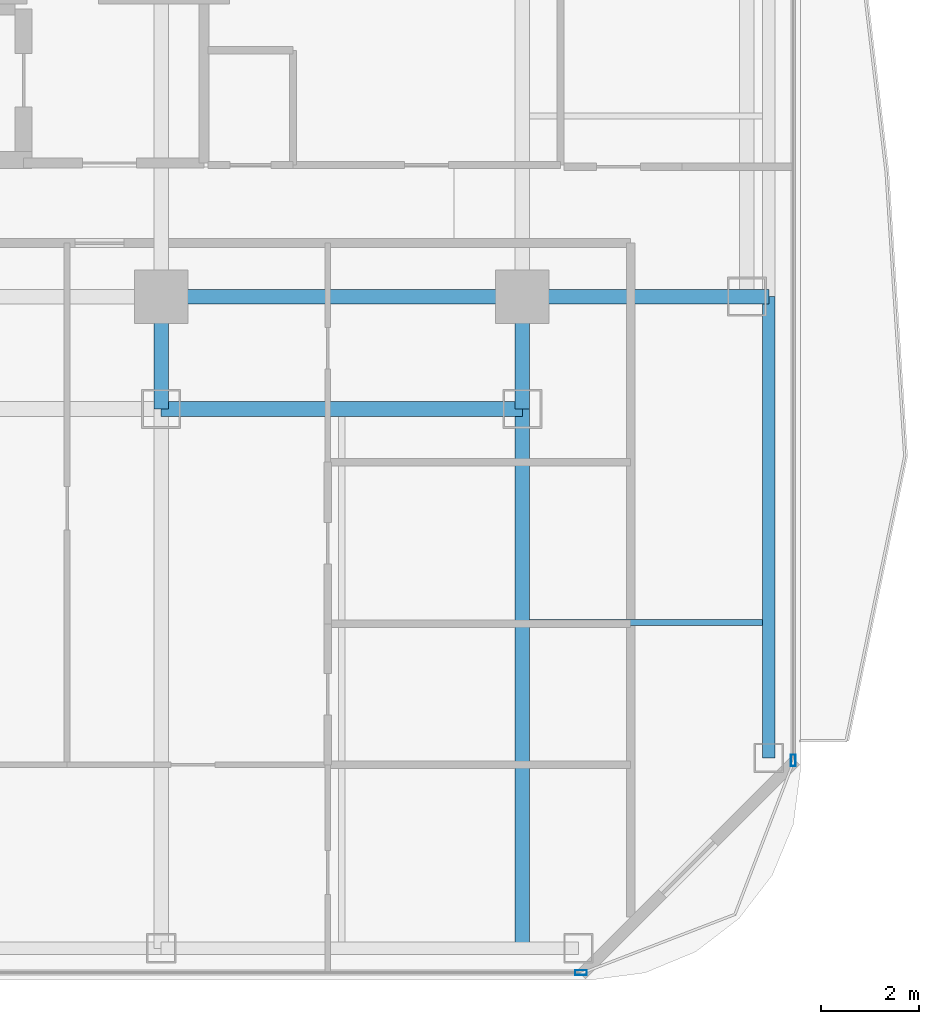
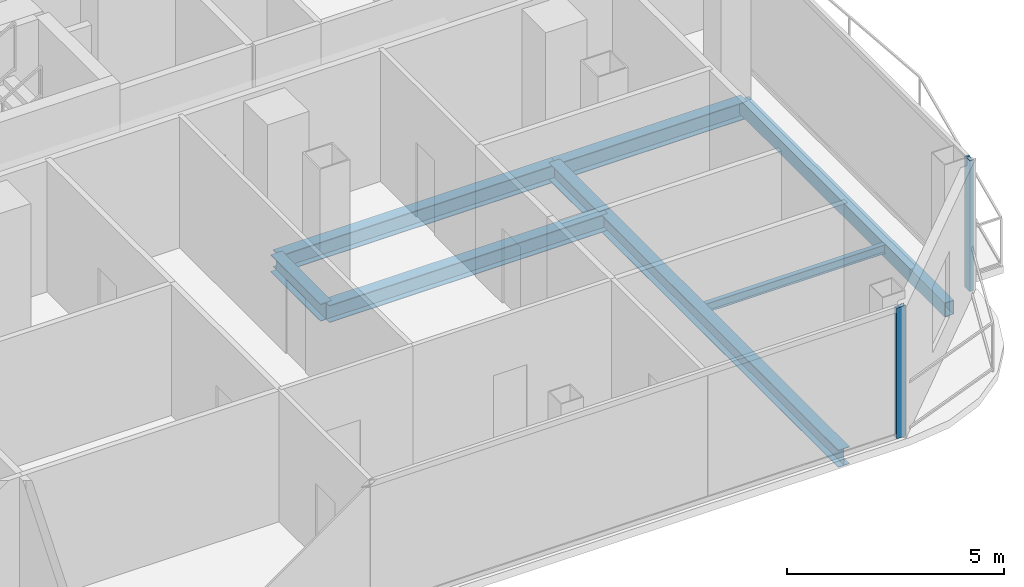
# One storey, part 7 of 23: 8 beams, 2 members, 2 elements without a shape of their own.
"""IFC4 building model written with IfcOpenShell, lengths in metres."""

from ifc_helpers import new_model, si_unit, direction, frame, origin, origin_2d, place, context, subcontext, project, spatial, hollow_rectangle, i_section, extrude, material, layer, layer_set, material_profile, profile_set, type_object, element, aggregate, save


model = new_model("IFC4")

# Units and contexts
model_context = context("Model", 3, precision=1e-05, world=origin(), true_north=direction((0.0, 1.0)))
body_context = subcontext(model_context, "Body", "Model", "MODEL_VIEW")
ifc_project = project(units=[si_unit("LENGTHUNIT", "METRE"), si_unit("AREAUNIT", "SQUARE_METRE"), si_unit("VOLUMEUNIT", "CUBIC_METRE"), si_unit("PLANEANGLEUNIT", "RADIAN"), si_unit("MASSUNIT", "GRAM", prefix="KILO")], contexts=[model_context])

# Site, building, storey
site_placement = place(None, origin())
site = spatial("IfcSite", under=ifc_project, at=site_placement, CompositionType="ELEMENT")
building_placement = place(site_placement, origin())
building = spatial("IfcBuilding", under=site, at=building_placement, Name="Khorvyn Point Tower", CompositionType="ELEMENT")
storey_placement = place(building_placement, frame((0.0, 0.0, 195.300048828125)))
storey = spatial("IfcBuildingStorey", under=building, at=storey_placement, Name="L48", CompositionType="ELEMENT", Elevation=195.300048828125)

# Curtain wall, member
ifc_material_1 = material(Name="Anodised aluminium 6063-T6 and laminated Low-E glass", Category="aluminium")
ifc_layer = layer(ifc_material_1, 0.18994140625)
ifc_layer_set = layer_set([ifc_layer], Name="Stick-Built Acoustic Curtain Wall CW-SYS-03")
curtain_wall_type = type_object("IfcCurtainWallType", Name="Stick-Built Acoustic Curtain Wall CW-SYS-03", PredefinedType="NOTDEFINED", material=ifc_layer_set)
curtain_wall_1_placement = place(storey_placement, origin())
curtain_wall_1 = element("IfcCurtainWall", 1, at=curtain_wall_1_placement, inside=storey, type_object=curtain_wall_type, Name="Curtain Wall", PredefinedType="NOTDEFINED")
ifc_material_2 = material(Name="Anodised aluminium 6063-T6", Category="aluminium")
ifc_material_profile_1 = material_profile(ifc_material_2, hollow_rectangle(XDim=0.10009765625, YDim=0.239990234375, WallThickness=0.0048828125, at=origin_2d()))
ifc_profile_set_1 = profile_set([ifc_material_profile_1], Name="Anodised aluminium 6063-T6 ALU-MUL-100x240")
member_type = type_object("IfcMemberType", Name="Anodised Aluminium 6063-T6 Mullion ALU-MUL-100x240", PredefinedType="MULLION", material=ifc_profile_set_1)
member_1_placement = place(storey_placement, frame((16.0, -28.64990234375, 0.0), z_axis=(0.0, 0.0, 1.0), x_axis=(0.0, -1.0, 0.0)))
member_1 = element("IfcMember", 2, at=member_1_placement, type_object=member_type, Name="Transom", PredefinedType="MULLION", context=body_context, shape_type="SweptSolid", body=[
    extrude(hollow_rectangle(XDim=0.10009765625, YDim=0.239990234375, WallThickness=0.0048828125, at=origin_2d()), origin(), (0.0, 0.0, 1.0), 3.679931640625),
])
aggregate(curtain_wall_1, [member_1])

curtain_wall_2_placement = place(storey_placement, origin())
curtain_wall_2 = element("IfcCurtainWall", 3, at=curtain_wall_2_placement, inside=storey, type_object=curtain_wall_type, Name="Curtain Wall", PredefinedType="NOTDEFINED")
member_2_placement = place(storey_placement, frame((20.35009765625, -24.300048828125, 0.0), z_axis=(0.0, 0.0, 1.0), x_axis=(1.0, 0.0, 0.0)))
member_2 = element("IfcMember", 4, at=member_2_placement, type_object=member_type, Name="Transom", PredefinedType="MULLION", context=body_context, shape_type="SweptSolid", body=[
    extrude(hollow_rectangle(XDim=0.10009765625, YDim=0.239990234375, WallThickness=0.0048828125, at=origin_2d()), origin(), (0.0, 0.0, 1.0), 3.679931640625),
])
aggregate(curtain_wall_2, [member_2])

# Beams
ifc_material_3 = material(Name="Steel S355", Category="steel")
ifc_material_profile_2 = material_profile(ifc_material_3, i_section(OverallWidth=0.125, OverallDepth=0.25, WebThickness=0.006103515625, FlangeThickness=0.009033203125, at=origin_2d()))
ifc_profile_set_2 = profile_set([ifc_material_profile_2], Name="Steel S355 H250x125x6x9")
beam_type_1 = type_object("IfcBeamType", Name="Steel S355 Joist H250x125x6x9", PredefinedType="JOIST", material=ifc_profile_set_2)
beam_1_placement = place(storey_placement, frame((14.949951171875, -21.47509765625, -0.344970703125), z_axis=(1.0, 0.0, 0.0), x_axis=(0.0, 1.0, 0.0)))
element("IfcBeam", 5, at=beam_1_placement, inside=storey, type_object=beam_type_1, Name="Beam", PredefinedType="JOIST", context=body_context, shape_type="SweptSolid", body=[
    extrude(i_section(OverallWidth=0.125, OverallDepth=0.25, WebThickness=0.006103515625, FlangeThickness=0.009033203125, at=origin_2d()), origin(), (0.0, 0.0, 1.0), 4.775146484375),
])
ifc_material_profile_3 = material_profile(ifc_material_3, i_section(OverallWidth=0.300048828125, OverallDepth=0.488037109375, WebThickness=0.010986328125, FlangeThickness=0.01806640625, at=origin_2d()))
ifc_profile_set_3 = profile_set([ifc_material_profile_3], Name="Steel S355 H488x300x11x18")
beam_type_2 = type_object("IfcBeamType", Name="Steel S355 Spandrel H488x300x11x18", PredefinedType="SPANDREL", material=ifc_profile_set_3)
beam_2_placement = place(storey_placement, frame((7.39990234375, -14.800048828125, -0.464111328125), z_axis=(1.0, 0.0, 0.0), x_axis=(0.0, 1.0, 0.0)))
element("IfcBeam", 6, at=beam_2_placement, inside=storey, type_object=beam_type_2, Name="Beam", PredefinedType="SPANDREL", context=body_context, shape_type="SweptSolid", body=[
    extrude(i_section(OverallWidth=0.300048828125, OverallDepth=0.488037109375, WebThickness=0.010986328125, FlangeThickness=0.01806640625, at=origin_2d()), origin(), (0.0, 0.0, 1.0), 7.400146484375),
])
beam_3_placement = place(storey_placement, frame((14.800048828125, -14.800048828125, -0.464111328125), z_axis=(1.0, 0.0, 0.0), x_axis=(0.0, 1.0, 0.0)))
element("IfcBeam", 7, at=beam_3_placement, inside=storey, type_object=beam_type_2, Name="Beam", PredefinedType="SPANDREL", context=body_context, shape_type="SweptSolid", body=[
    extrude(i_section(OverallWidth=0.300048828125, OverallDepth=0.488037109375, WebThickness=0.010986328125, FlangeThickness=0.01806640625, at=origin_2d()), origin(), (0.0, 0.0, 1.0), 5.050048828125),
])
beam_4_placement = place(storey_placement, frame((7.39990234375, -17.10009765625, -0.464111328125), z_axis=(1.0, 0.0, 0.0), x_axis=(0.0, 1.0, 0.0)))
element("IfcBeam", 8, at=beam_4_placement, inside=storey, type_object=beam_type_2, Name="Beam", PredefinedType="SPANDREL", context=body_context, shape_type="SweptSolid", body=[
    extrude(i_section(OverallWidth=0.300048828125, OverallDepth=0.488037109375, WebThickness=0.010986328125, FlangeThickness=0.01806640625, at=origin_2d()), origin(), (0.0, 0.0, 1.0), 7.400146484375),
])
beam_5_placement = place(storey_placement, frame((14.800048828125, -28.14990234375, -0.464111328125), z_axis=(0.0, 1.0, 0.0), x_axis=(-1.0, 0.0, 0.0)))
element("IfcBeam", 9, at=beam_5_placement, inside=storey, type_object=beam_type_2, Name="Beam", PredefinedType="SPANDREL", context=body_context, shape_type="SweptSolid", body=[
    extrude(i_section(OverallWidth=0.300048828125, OverallDepth=0.488037109375, WebThickness=0.010986328125, FlangeThickness=0.01806640625, at=origin_2d()), origin(), (0.0, 0.0, 1.0), 11.0498046875),
])
for number, where, z_axis, x_axis, name in (
    (10, (14.800048828125, -17.10009765625, -0.464111328125), (0.0, 1.0, 0.0), (-1.0, 0.0, 0.0), "Beam"),
    (11, (7.39990234375, -17.10009765625, -0.464111328125), (0.0, 1.0, 0.0), (-1.0, 0.0, 0.0), "Beam"),
):
    element("IfcBeam", number, at=place(storey_placement, frame(where, z_axis=z_axis, x_axis=x_axis)), inside=storey, type_object=beam_type_2, Name=name, PredefinedType="SPANDREL", context=body_context, shape_type="SweptSolid", body=[
        extrude(i_section(OverallWidth=0.300048828125, OverallDepth=0.488037109375, WebThickness=0.010986328125, FlangeThickness=0.01806640625, at=origin_2d()), origin(), (0.0, 0.0, 1.0), 2.300048828125),
    ])
ifc_material_profile_4 = material_profile(ifc_material_3, hollow_rectangle(XDim=0.25, YDim=0.39990234375, WallThickness=0.01611328125, at=origin_2d()))
ifc_profile_set_4 = profile_set([ifc_material_profile_4], Name="Steel S355 RHS400x250x16")
beam_type_3 = type_object("IfcBeamType", Name="Steel S355 Spandrel RHS400x250x16", PredefinedType="SPANDREL", material=ifc_profile_set_4)
beam_6_placement = place(storey_placement, frame((19.85009765625, -24.25, -0.420166015625), z_axis=(0.0, 1.0, 0.0), x_axis=(-1.0, 0.0, 0.0)))
element("IfcBeam", 12, at=beam_6_placement, inside=storey, type_object=beam_type_3, Name="Beam", PredefinedType="SPANDREL", context=body_context, shape_type="SweptSolid", body=[
    extrude(hollow_rectangle(XDim=0.25, YDim=0.39990234375, WallThickness=0.01611328125, at=origin_2d()), origin(), (0.0, 0.0, 1.0), 9.449951171875),
])

save(model, "model.ifc")
